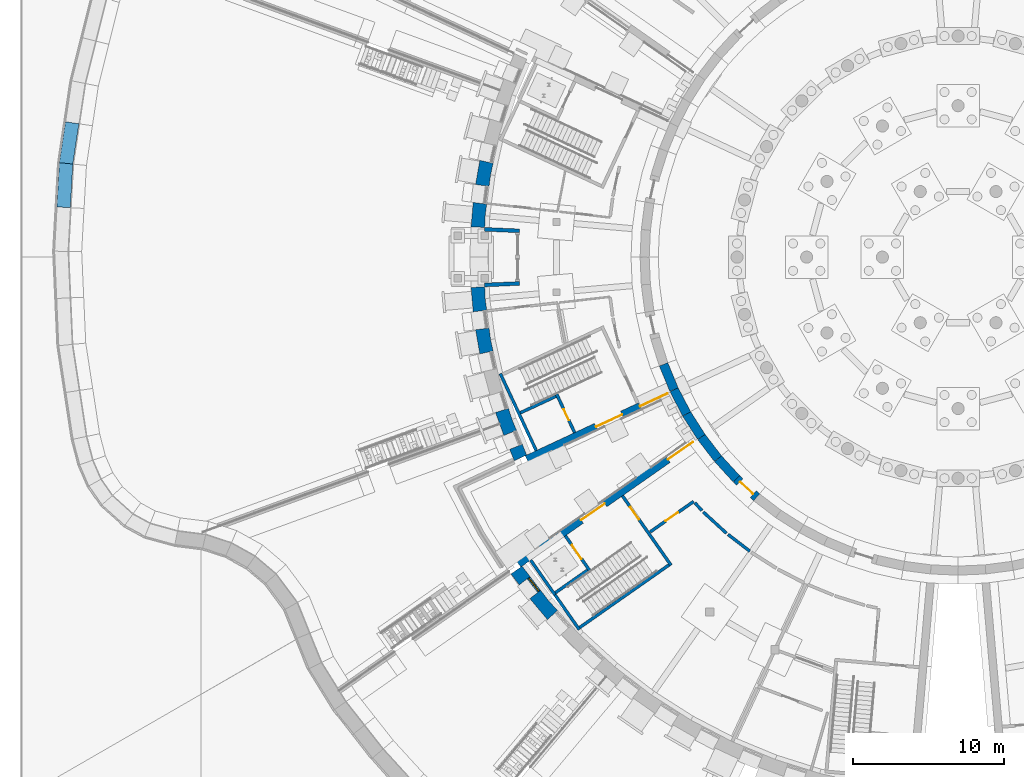
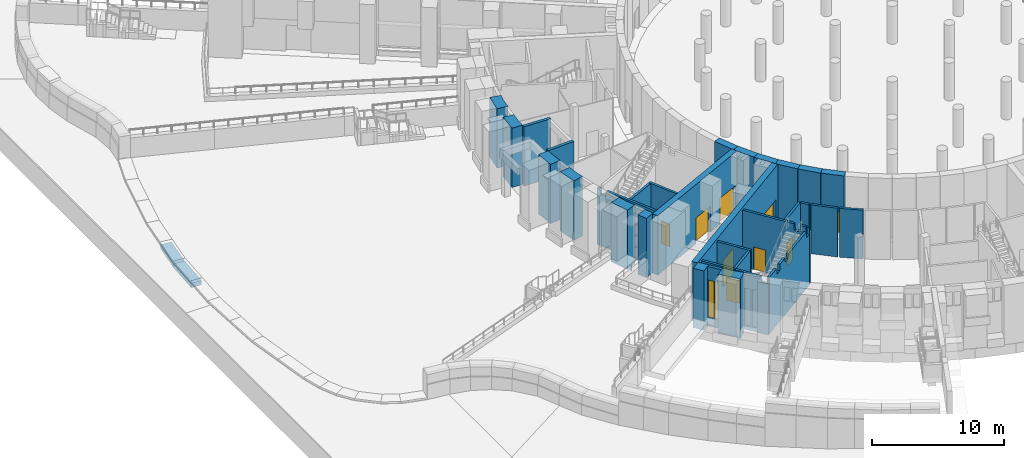
# One storey, part 38 of 65: 34 walls, 9 doors, 2 windows, 11 openings.
"""IFC4 building model written with IfcOpenShell, lengths in metres."""

from ifc_helpers import new_model, si_unit, direction, frame, frame_2d, origin, place, context, subcontext, project, spatial, polyline, rectangle, outline, extrude, material, layer, layer_set, type_object, element, fill, save


model = new_model("IFC4")

# Units and contexts
model_context = context("Model", 3, precision=1e-05, world=origin(), true_north=direction((0.0, 1.0)))
body_context = subcontext(model_context, "Body", "Model", "MODEL_VIEW")
ifc_project = project(units=[si_unit("LENGTHUNIT", "METRE"), si_unit("AREAUNIT", "SQUARE_METRE"), si_unit("VOLUMEUNIT", "CUBIC_METRE"), si_unit("PLANEANGLEUNIT", "RADIAN"), si_unit("MASSUNIT", "GRAM", prefix="KILO")], contexts=[model_context])

# Site, building, storey
site_placement = place(None, origin())
site = spatial("IfcSite", under=ifc_project, at=site_placement, CompositionType="ELEMENT")
building_placement = place(site_placement, origin())
building = spatial("IfcBuilding", under=site, at=building_placement, Name="Volute Hill Aquarium", CompositionType="ELEMENT")
storey_placement = place(building_placement, frame((0.0, 0.0, -5.5)))
storey = spatial("IfcBuildingStorey", under=building, at=storey_placement, Name="L00", CompositionType="ELEMENT", Elevation=-5.5)

# Wall
ifc_material_1 = material(Name="Concrete C30/37", Category="concrete")
ifc_layer_1 = layer(ifc_material_1, 0.199951171875)
ifc_layer_set_1 = layer_set([ifc_layer_1], Name="Core wall 200 REI 60")
wall_type_1 = type_object("IfcWallType", Name="Core wall 200 REI 60", PredefinedType="SHEAR", material=ifc_layer_set_1)
wall_1_placement = place(storey_placement, frame((-27.86279296875, -12.77197265625, 0.0), z_axis=(0.0, 0.0, 1.0), x_axis=(-0.422632457081, 0.906301167505, 0.0)))
element("IfcWall", 1, at=wall_1_placement, inside=storey, type_object=wall_type_1, Name="wc/S1-B/L00/out", PredefinedType="SHEAR", context=body_context, shape_type="SweptSolid", body=[
    extrude(outline(polyline([(0.0, 0.0), (5.599853515625, 0.0), (5.60009765625, 5.25), (5.333984375, 5.25), (5.283935546875, 4.780029296875), (4.783935546875, 4.780029296875), (4.73388671875, 5.25), (0.0, 5.25), (0.0, 0.0)])), frame((0.0, 0.10009765625, 0.0), z_axis=(0.0, -1.0, 0.0), x_axis=(1.0, 0.0, 0.0)), (0.0, 0.0, 1.0), 0.199951171875),
])

# Wall, opening, door
wall_2_placement = place(storey_placement, frame((-22.166259765625, -15.76513671875, 0.0), z_axis=(0.0, 0.0, 1.0), x_axis=(0.573599855614, -0.819135645446, 0.0)))
wall_2 = element("IfcWall", 2, at=wall_2_placement, inside=storey, type_object=wall_type_1, Name="wc/S2-A/L00/in", PredefinedType="SHEAR", context=body_context, shape_type="SweptSolid", body=[
    extrude(outline(polyline([(0.0, 0.0), (5.60009765625, 0.0), (5.60009765625, 5.25), (5.550048828125, 4.68994140625), (5.349853515625, 4.68994140625), (5.2998046875, 5.25), (4.87841796875, 5.25), (4.82861328125, 4.639892578125), (4.32861328125, 4.639892578125), (4.278564453125, 5.25), (0.0, 5.25), (0.0, 0.0)])), frame((0.0, 0.10009765625, 0.0), z_axis=(0.0, -1.0, 0.0), x_axis=(1.0, 0.0, 0.0)), (0.0, 0.0, 1.0), 0.199951171875),
])
opening_1_placement = place(wall_2_placement, frame((0.89990234375, 0.0, 0.0)))
opening_1 = element("IfcOpeningElement", 3, at=opening_1_placement, cuts=wall_2, Name="Opening D2.00.AS", PredefinedType="OPENING", context=body_context, shape_type="SweptSolid", body=[
    extrude(rectangle(XDim=1.0, YDim=2.10009765625, at=frame_2d((0.5, 1.050048828125))), frame((0.0, 0.10986328125, 0.0), z_axis=(0.0, -1.0, 0.0), x_axis=(1.0, 0.0, 0.0)), (0.0, 0.0, 1.0), 0.219970703125),
])
ifc_material_2 = material(Name="Timber, fire-rated", Category="wood")
door_type_1 = type_object("IfcDoorType", Name="Door 1000 x 2100 single EI1 30", OperationType="SINGLE_SWING_LEFT", PredefinedType="DOOR", material=ifc_material_2)
door_1_placement = place(opening_1_placement, origin())
door_1 = element("IfcDoor", 4, at=door_1_placement, inside=storey, type_object=door_type_1, Name="d/S2-A/L00/st", OperationType="SINGLE_SWING_RIGHT", OverallHeight=2.10009765625, OverallWidth=1.0, PredefinedType="DOOR", context=body_context, shape_type="SweptSolid", body=[
    extrude(rectangle(XDim=1.0, YDim=2.10009765625, at=frame_2d((0.5, 1.050048828125))), frame((0.0, 0.02490234375, 0.0), z_axis=(0.0, -1.0, 0.0), x_axis=(1.0, 0.0, 0.0)), (0.0, 0.0, 1.0), 0.050048828125),
])
fill(opening_1, door_1)

# Walls
wall_3_placement = place(storey_placement, frame((-19.093505859375, -20.327880859375, 0.0), z_axis=(0.0, 0.0, 1.0), x_axis=(-0.819161821637, -0.573562472597, 0.0)))
element("IfcWall", 5, at=wall_3_placement, inside=storey, type_object=wall_type_1, Name="wc/S2-A/L00/side", PredefinedType="SHEAR", context=body_context, shape_type="SweptSolid", body=[
    extrude(outline(polyline([(0.0, 0.0), (7.199951171875, 0.0), (7.199951171875, 5.25), (5.8935546875, 5.25), (5.843505859375, 4.68994140625), (5.343505859375, 4.68994140625), (5.293701171875, 5.25), (4.397216796875, 5.25), (4.34716796875, 4.840087890625), (3.84716796875, 4.840087890625), (3.797119140625, 5.25), (0.577392578125, 5.25), (0.52734375, 4.68994140625), (0.050048828125, 4.68994140625), (0.0, 5.25), (0.0, 0.0)])), frame((0.0, 0.10009765625, 0.0), z_axis=(0.0, -1.0, 0.0), x_axis=(1.0, 0.0, 0.0)), (0.0, 0.0, 1.0), 0.199951171875),
])
wall_4_placement = place(storey_placement, frame((-26.621826171875, -22.30322265625, 0.0), z_axis=(0.0, 0.0, 1.0), x_axis=(0.573591086599, -0.819141785879, 0.0)))
element("IfcWall", 6, at=wall_4_placement, inside=storey, type_object=wall_type_1, Name="wc/S2-A/L00/out-b", PredefinedType="SHEAR", context=body_context, shape_type="SweptSolid", body=[
    extrude(outline(polyline([(0.0, 0.0), (2.7998046875, 0.0), (2.800048828125, 5.25), (2.7646484375, 5.25), (2.714599609375, 4.739990234375), (2.214599609375, 4.739990234375), (2.164794921875, 5.25), (0.0, 5.25), (0.0, 0.0)])), frame((0.0, 0.10009765625, 0.0), z_axis=(0.0, -1.0, 0.0), x_axis=(1.0, 0.0, 0.0)), (0.0, 0.0, 1.0), 0.199951171875),
])
ifc_material_3 = material(Name="Concrete C35/45", Category="concrete")
ifc_layer_2 = layer(ifc_material_3, 0.60009765625)
ifc_layer_set_2 = layer_set([ifc_layer_2], Name="Drum wall C35/45 600")
wall_type_2 = type_object("IfcWallType", Name="Drum wall C35/45 600", PredefinedType="SHEAR", material=ifc_layer_set_2)
for number, where, z_axis, x_axis, name in (
    (7, (-19.45166015625, -7.079833984375, 0.0), (0.0, 0.0, 1.0), (0.382713954298, -0.923866889322, 0.0), "sw/DR/L00/40"),
    (8, (-18.760498046875, -8.748291015625, 0.0), (0.0, 0.0, 1.0), (0.461701764231, -0.887035219654, 0.0), "sw/DR/L00/41"),
    (9, (-17.9267578125, -10.35009765625, 0.0), (0.0, 0.0, 1.0), (0.537391510251, -0.843332890803, 0.0), "sw/DR/L00/42"),
):
    element("IfcWall", number, at=place(storey_placement, frame(where, z_axis=z_axis, x_axis=x_axis)), inside=storey, type_object=wall_type_2, Name=name, PredefinedType="SHEAR", context=body_context, shape_type="SweptSolid", body=[
        extrude(rectangle(XDim=1.805908203125, YDim=0.60009765625, at=frame_2d((0.90283203125, 0.0))), origin(), (0.0, 0.0, 1.0), 5.5),
    ])
wall_5_placement = place(storey_placement, frame((-16.956298828125, -11.873046875, 0.0), z_axis=(0.0, 0.0, 1.0), x_axis=(0.608704004289, -0.793397400526, 0.0)))
element("IfcWall", 10, at=wall_5_placement, inside=storey, type_object=wall_type_2, Name="sw/DR/L00/43", PredefinedType="SHEAR", context=body_context, shape_type="SweptSolid", body=[
    extrude(rectangle(XDim=1.8056640625, YDim=0.60009765625, at=frame_2d((0.90283203125, 0.0))), origin(), (0.0, 0.0, 1.0), 5.5),
])
wall_6_placement = place(storey_placement, frame((-15.857177734375, -13.3056640625, 0.0), z_axis=(0.0, 0.0, 1.0), x_axis=(0.675540954152, -0.737322466268, 0.0)))
element("IfcWall", 11, at=wall_6_placement, inside=storey, type_object=wall_type_2, Name="sw/DR/L00/44", PredefinedType="SHEAR", context=body_context, shape_type="SweptSolid", body=[
    extrude(rectangle(XDim=1.805908203125, YDim=0.60009765625, at=frame_2d((0.90283203125, 0.0))), origin(), (0.0, 0.0, 1.0), 5.5),
])

# Wall, opening, door
wall_7_placement = place(storey_placement, frame((-14.63720703125, -14.63720703125, 0.0), z_axis=(0.0, 0.0, 1.0), x_axis=(0.737322466268, -0.675540954152, 0.0)))
wall_7 = element("IfcWall", 12, at=wall_7_placement, inside=storey, type_object=wall_type_2, Name="sw/DR/L00/45", PredefinedType="SHEAR", context=body_context, shape_type="SweptSolid", body=[
    extrude(rectangle(XDim=1.805908203125, YDim=0.60009765625, at=frame_2d((0.90283203125, 0.0))), origin(), (0.0, 0.0, 1.0), 5.5),
])
opening_2_placement = place(wall_7_placement, frame((0.302978515625, 0.0, 0.0)))
opening_2 = element("IfcOpeningElement", 13, at=opening_2_placement, cuts=wall_7, Name="Opening D2.00.R1", PredefinedType="OPENING", context=body_context, shape_type="SweptSolid", body=[
    extrude(rectangle(XDim=1.199951171875, YDim=2.10009765625, at=frame_2d((0.60009765625, 1.050048828125))), frame((0.0, 0.31005859375, 0.0), z_axis=(0.0, -1.0, 0.0), x_axis=(1.0, 0.0, 0.0)), (0.0, 0.0, 1.0), 0.6201171875),
])
ifc_material_4 = material(Name="Timber, fire-rated", Category="wood")
door_type_2 = type_object("IfcDoorType", Name="Door 1200 x 2100 drum double EI1 30", OperationType="DOUBLE_DOOR_SINGLE_SWING", PredefinedType="DOOR", material=ifc_material_4)
door_2_placement = place(opening_2_placement, origin())
door_2 = element("IfcDoor", 14, at=door_2_placement, inside=storey, type_object=door_type_2, Name="d/S2/L00/dr1", OperationType="SINGLE_SWING_LEFT", OverallHeight=2.10009765625, OverallWidth=1.199951171875, PredefinedType="DOOR", context=body_context, shape_type="SweptSolid", body=[
    extrude(rectangle(XDim=1.199951171875, YDim=2.10009765625, at=frame_2d((0.60009765625, 1.050048828125))), frame((0.0, 0.02490234375, 0.0), z_axis=(0.0, -1.0, 0.0), x_axis=(1.0, 0.0, 0.0)), (0.0, 0.0, 1.0), 0.050048828125),
])
fill(opening_2, door_2)

# Wall, openings, doors
ifc_material_5 = material(Name="Concrete C35/45", Category="concrete")
ifc_layer_3 = layer(ifc_material_5, 0.5)
ifc_layer_set_3 = layer_set([ifc_layer_3], Name="End wall 500 C35/45")
wall_type_3 = type_object("IfcWallType", Name="End wall 500 C35/45", PredefinedType="SHEAR", material=ifc_layer_set_3)
wall_8_placement = place(storey_placement, frame((-18.920654296875, -8.8779296875, 0.0), z_axis=(0.0, 0.0, 1.0), x_axis=(-0.90630311696, -0.422628276607, 0.0)))
wall_8 = element("IfcWall", 15, at=wall_8_placement, inside=storey, type_object=wall_type_3, Name="sw/S1/L00/endB", PredefinedType="SHEAR", context=body_context, shape_type="SweptSolid", body=[
    extrude(rectangle(XDim=10.550048828125, YDim=0.5, at=frame_2d((5.27490234375, 0.0))), origin(), (0.0, 0.0, 1.0), 5.5),
])
opening_3_placement = place(wall_8_placement, frame((3.60009765625, 0.0, 0.0)))
opening_3 = element("IfcOpeningElement", 16, at=opening_3_placement, cuts=wall_8, Name="Opening D1.00.BX", PredefinedType="OPENING", context=body_context, shape_type="SweptSolid", body=[
    extrude(rectangle(XDim=1.89990234375, YDim=2.39990234375, at=frame_2d((0.949951171875, 1.199951171875))), frame((0.0, 0.260009765625, 0.0), z_axis=(0.0, -1.0, 0.0), x_axis=(1.0, 0.0, 0.0)), (0.0, 0.0, 1.0), 0.52001953125),
])
opening_4_placement = place(wall_8_placement, frame((0.300048828125, 0.0, 0.0)))
opening_4 = element("IfcOpeningElement", 17, at=opening_4_placement, cuts=wall_8, Name="Opening DX.S1.B", PredefinedType="OPENING", context=body_context, shape_type="SweptSolid", body=[
    extrude(rectangle(XDim=2.0, YDim=2.39990234375, at=frame_2d((1.0, 1.199951171875))), frame((0.0, 0.260009765625, 0.0), z_axis=(0.0, -1.0, 0.0), x_axis=(1.0, 0.0, 0.0)), (0.0, 0.0, 1.0), 0.52001953125),
])
ifc_material_6 = material(Name="Steel, fire-rated", Category="steel")
door_type_3 = type_object("IfcDoorType", Name="Door 1900 x 2400 stair exit double EI1 30", OperationType="DOUBLE_DOOR_SINGLE_SWING", PredefinedType="DOOR", material=ifc_material_6)
door_3_placement = place(opening_3_placement, origin())
door_3 = element("IfcDoor", 18, at=door_3_placement, inside=storey, type_object=door_type_3, Name="d/S1-B/L00/ex", OperationType="SINGLE_SWING_LEFT", OverallHeight=2.39990234375, OverallWidth=1.89990234375, PredefinedType="DOOR", context=body_context, shape_type="SweptSolid", body=[
    extrude(rectangle(XDim=1.89990234375, YDim=2.39990234375, at=frame_2d((0.949951171875, 1.199951171875))), frame((0.0, 0.02490234375, 0.0), z_axis=(0.0, -1.0, 0.0), x_axis=(1.0, 0.0, 0.0)), (0.0, 0.0, 1.0), 0.050048828125),
])
fill(opening_3, door_3)
ifc_material_7 = material(Name="Steel, fire-rated", Category="steel")
door_type_4 = type_object("IfcDoorType", Name="Door 2000 x 2400 corridor exit double EI1 30", OperationType="DOUBLE_DOOR_SINGLE_SWING", PredefinedType="DOOR", material=ifc_material_7)
door_4_placement = place(opening_4_placement, origin())
door_4 = element("IfcDoor", 19, at=door_4_placement, inside=storey, type_object=door_type_4, Name="d/S1/L00/xcB", OperationType="SINGLE_SWING_LEFT", OverallHeight=2.39990234375, OverallWidth=2.0, PredefinedType="DOOR", context=body_context, shape_type="SweptSolid", body=[
    extrude(rectangle(XDim=2.0, YDim=2.39990234375, at=frame_2d((1.0, 1.199951171875))), frame((0.0, 0.02490234375, 0.0), z_axis=(0.0, -1.0, 0.0), x_axis=(1.0, 0.0, 0.0)), (0.0, 0.0, 1.0), 0.050048828125),
])
fill(opening_4, door_4)

wall_9_placement = place(storey_placement, frame((-17.14892578125, -11.94677734375, 0.0), z_axis=(0.0, 0.0, 1.0), x_axis=(-0.819150437903, -0.573578730501, 0.0)))
wall_9 = element("IfcWall", 20, at=wall_9_placement, inside=storey, type_object=wall_type_3, Name="sw/S2/L00/endA", PredefinedType="SHEAR", context=body_context, shape_type="SweptSolid", body=[
    extrude(rectangle(XDim=14.5, YDim=0.5, at=frame_2d((7.25, 0.0))), origin(), (0.0, 0.0, 1.0), 5.5),
])
opening_5_placement = place(wall_9_placement, frame((7.550048828125, 0.0, 0.0)))
opening_5 = element("IfcOpeningElement", 21, at=opening_5_placement, cuts=wall_9, Name="Opening D2.00.AX", PredefinedType="OPENING", context=body_context, shape_type="SweptSolid", body=[
    extrude(rectangle(XDim=1.89990234375, YDim=2.39990234375, at=frame_2d((0.949951171875, 1.199951171875))), frame((0.0, 0.260009765625, 0.0), z_axis=(0.0, -1.0, 0.0), x_axis=(1.0, 0.0, 0.0)), (0.0, 0.0, 1.0), 0.52001953125),
])
opening_6_placement = place(wall_9_placement, frame((0.449951171875, 0.0, 0.0)))
opening_6 = element("IfcOpeningElement", 22, at=opening_6_placement, cuts=wall_9, Name="Opening DX.S2.A", PredefinedType="OPENING", context=body_context, shape_type="SweptSolid", body=[
    extrude(rectangle(XDim=2.0, YDim=2.39990234375, at=frame_2d((1.0, 1.199951171875))), frame((0.0, 0.260009765625, 0.0), z_axis=(0.0, -1.0, 0.0), x_axis=(1.0, 0.0, 0.0)), (0.0, 0.0, 1.0), 0.52001953125),
])
door_5_placement = place(opening_5_placement, origin())
door_5 = element("IfcDoor", 23, at=door_5_placement, inside=storey, type_object=door_type_3, Name="d/S2-A/L00/ex", OperationType="SINGLE_SWING_LEFT", OverallHeight=2.39990234375, OverallWidth=1.89990234375, PredefinedType="DOOR", context=body_context, shape_type="SweptSolid", body=[
    extrude(rectangle(XDim=1.89990234375, YDim=2.39990234375, at=frame_2d((0.949951171875, 1.199951171875))), frame((0.0, 0.02490234375, 0.0), z_axis=(0.0, -1.0, 0.0), x_axis=(1.0, 0.0, 0.0)), (0.0, 0.0, 1.0), 0.050048828125),
])
fill(opening_5, door_5)
door_6_placement = place(opening_6_placement, origin())
door_6 = element("IfcDoor", 24, at=door_6_placement, inside=storey, type_object=door_type_4, Name="d/S2/L00/xcA", OperationType="SINGLE_SWING_LEFT", OverallHeight=2.39990234375, OverallWidth=2.0, PredefinedType="DOOR", context=body_context, shape_type="SweptSolid", body=[
    extrude(rectangle(XDim=2.0, YDim=2.39990234375, at=frame_2d((1.0, 1.199951171875))), frame((0.0, 0.02490234375, 0.0), z_axis=(0.0, -1.0, 0.0), x_axis=(1.0, 0.0, 0.0)), (0.0, 0.0, 1.0), 0.050048828125),
])
fill(opening_6, door_6)

# Wall, opening, door
ifc_material_8 = material(Name="Masonry blockwork", Category="masonry")
ifc_layer_4 = layer(ifc_material_8, 0.199951171875)
ifc_layer_set_4 = layer_set([ifc_layer_4], Name="Fire partition 200 EI 60")
wall_type_4 = type_object("IfcWallType", Name="Fire partition 200 EI 60", PredefinedType="PARTITIONING", material=ifc_layer_set_4)
wall_10_placement = place(storey_placement, frame((-17.464599609375, -16.135498046875, 0.0), z_axis=(0.0, 0.0, 1.0), x_axis=(-0.819192694316, -0.573518377717, 0.0)))
wall_10 = element("IfcWall", 25, at=wall_10_placement, inside=storey, type_object=wall_type_4, Name="pw/S2/L00/006", PredefinedType="PARTITIONING", context=body_context, shape_type="SweptSolid", body=[
    extrude(rectangle(XDim=3.509033203125, YDim=0.199951171875, at=frame_2d((1.75439453125, 0.0))), origin(), (0.0, 0.0, 1.0), 4.52001953125),
])
opening_7_placement = place(wall_10_placement, frame((1.25439453125, 0.0, 0.0)))
opening_7 = element("IfcOpeningElement", 26, at=opening_7_placement, cuts=wall_10, Name="Opening D2.00.01", PredefinedType="OPENING", context=body_context, shape_type="SweptSolid", body=[
    extrude(rectangle(XDim=1.0, YDim=2.10009765625, at=frame_2d((0.5, 1.050048828125))), frame((0.0, 0.10986328125, 0.0), z_axis=(0.0, -1.0, 0.0), x_axis=(1.0, 0.0, 0.0)), (0.0, 0.0, 1.0), 0.219970703125),
])
door_7_placement = place(opening_7_placement, origin())
door_7 = element("IfcDoor", 27, at=door_7_placement, inside=storey, type_object=door_type_1, Name="d/S2/L00/01", OperationType="SINGLE_SWING_LEFT", OverallHeight=2.10009765625, OverallWidth=1.0, PredefinedType="DOOR", context=body_context, shape_type="SweptSolid", body=[
    extrude(rectangle(XDim=1.0, YDim=2.10009765625, at=frame_2d((0.5, 1.050048828125))), frame((0.0, 0.02490234375, 0.0), z_axis=(0.0, -1.0, 0.0), x_axis=(1.0, 0.0, 0.0)), (0.0, 0.0, 1.0), 0.050048828125),
])
fill(opening_7, door_7)

# Walls
wall_11_placement = place(storey_placement, frame((-15.29833984375, -18.23193359375, 0.0), z_axis=(0.0, 0.0, 1.0), x_axis=(-0.737241988031, 0.675628782013, 0.0)))
element("IfcWall", 28, at=wall_11_placement, inside=storey, type_object=wall_type_4, Name="pw/S2/L00/009", PredefinedType="PARTITIONING", context=body_context, shape_type="SweptSolid", body=[
    extrude(rectangle(XDim=2.076416015625, YDim=0.199951171875, at=frame_2d((1.0380859375, 0.0))), origin(), (0.0, 0.0, 1.0), 4.52001953125),
])
wall_12_placement = place(storey_placement, frame((-13.754150390625, -19.416748046875, 0.0), z_axis=(0.0, 0.0, 1.0), x_axis=(-0.793387821047, 0.608716490178, 0.0)))
element("IfcWall", 29, at=wall_12_placement, inside=storey, type_object=wall_type_4, Name="pw/S2/L00/014", PredefinedType="PARTITIONING", context=body_context, shape_type="SweptSolid", body=[
    extrude(rectangle(XDim=1.81640625, YDim=0.199951171875, at=frame_2d((0.908203125, 0.0))), origin(), (0.0, 0.0, 1.0), 4.52001953125),
])
wall_13_placement = place(storey_placement, frame((-16.9169921875, -16.7333984375, 0.0), z_axis=(0.0, 0.0, 1.0), x_axis=(-0.675416123111, 0.737436818068, 0.0)))
element("IfcWall", 30, at=wall_13_placement, inside=storey, type_object=wall_type_4, Name="pw/S2/L00/016", PredefinedType="PARTITIONING", context=body_context, shape_type="SweptSolid", body=[
    extrude(rectangle(XDim=0.680908203125, YDim=0.199951171875, at=frame_2d((0.34033203125, 0.0))), origin(), (0.0, 0.0, 1.0), 4.52001953125),
])

# Wall, openings, windows
ifc_material_9 = material(Name="Concrete C30/37", Category="concrete")
ifc_layer_5 = layer(ifc_material_9, 0.25)
ifc_layer_set_5 = layer_set([ifc_layer_5], Name="Niche back wall full height 250")
wall_type_5 = type_object("IfcWallType", Name="Niche back wall full height 250", PredefinedType="NOTDEFINED", material=ifc_layer_set_5)
wall_14_placement = place(storey_placement, frame((-27.66943359375, -22.07666015625, 0.0), z_axis=(0.0, 0.0, 1.0), x_axis=(-0.608831313341, 0.793299711267, 0.0)))
wall_14 = element("IfcWall", 31, at=wall_14_placement, inside=storey, type_object=wall_type_5, Name="Niche back wall OWN S2 L00 1", PredefinedType="NOTDEFINED", context=body_context, shape_type="SweptSolid", body=[
    extrude(rectangle(XDim=1.140869140625, YDim=0.25, at=frame_2d((0.5703125, 0.0))), origin(), (0.0, 0.0, 1.0), 5.5),
])
opening_8_placement = place(wall_14_placement, frame((0.582763671875, 0.0, 0.800048828125)))
opening_8 = element("IfcOpeningElement", 32, at=opening_8_placement, cuts=wall_14, Name="Opening W3", PredefinedType="OPENING", context=body_context, shape_type="SweptSolid", body=[
    extrude(rectangle(XDim=0.5, YDim=3.449951171875, at=frame_2d((0.25, 1.72509765625))), frame((0.0, 0.135009765625, 0.0), z_axis=(0.0, -1.0, 0.0), x_axis=(1.0, 0.0, 0.0)), (0.0, 0.0, 1.0), 0.27001953125),
])
opening_9_placement = place(wall_14_placement, frame((0.05810546875, 0.0, 0.800048828125)))
opening_9 = element("IfcOpeningElement", 33, at=opening_9_placement, cuts=wall_14, Name="Opening W3", PredefinedType="OPENING", context=body_context, shape_type="SweptSolid", body=[
    extrude(rectangle(XDim=0.5, YDim=3.449951171875, at=frame_2d((0.25, 1.72509765625))), frame((0.0, 0.135009765625, 0.0), z_axis=(0.0, -1.0, 0.0), x_axis=(1.0, 0.0, 0.0)), (0.0, 0.0, 1.0), 0.27001953125),
])
ifc_material_10 = material(Name="Aluminium and glass", Category="aluminium")
window_type = type_object("IfcWindowType", Name="Slit window 500x3450", PartitioningType="SINGLE_PANEL", PredefinedType="WINDOW", material=ifc_material_10)
window_1_placement = place(opening_8_placement, origin())
window_1 = element("IfcWindow", 34, at=window_1_placement, inside=storey, type_object=window_type, Name="Slit window S2 L00 1.1.1", OverallHeight=3.449951171875, OverallWidth=0.5, PartitioningType="SINGLE_PANEL", PredefinedType="WINDOW", context=body_context, shape_type="SweptSolid", body=[
    extrude(rectangle(XDim=0.5, YDim=3.449951171875, at=frame_2d((0.25, 1.72509765625))), frame((0.0, 0.030029296875, 0.0), z_axis=(0.0, -1.0, 0.0), x_axis=(1.0, 0.0, 0.0)), (0.0, 0.0, 1.0), 0.06005859375),
])
fill(opening_8, window_1)
window_2_placement = place(opening_9_placement, origin())
window_2 = element("IfcWindow", 35, at=window_2_placement, inside=storey, type_object=window_type, Name="Slit window S2 L00 1.1.2", OverallHeight=3.449951171875, OverallWidth=0.5, PartitioningType="SINGLE_PANEL", PredefinedType="WINDOW", context=body_context, shape_type="SweptSolid", body=[
    extrude(rectangle(XDim=0.5, YDim=3.449951171875, at=frame_2d((0.25, 1.72509765625))), frame((0.0, 0.030029296875, 0.0), z_axis=(0.0, -1.0, 0.0), x_axis=(1.0, 0.0, 0.0)), (0.0, 0.0, 1.0), 0.06005859375),
])
fill(opening_9, window_2)

# Walls
ifc_material_11 = material(Name="Precast concrete C40/50", Category="concrete")
ifc_layer_6 = layer(ifc_material_11, 0.89990234375)
ifc_layer_set_6 = layer_set([ifc_layer_6], Name="Outer pier precast concrete C40/50 900")
wall_type_6 = type_object("IfcWallType", Name="Outer pier precast concrete C40/50 900", PredefinedType="NOTDEFINED", material=ifc_layer_set_6)
wall_15_placement = place(storey_placement, origin())
element("IfcWall", 36, at=wall_15_placement, inside=storey, type_object=wall_type_6, Name="Outer pier OWP S1 L00 4", PredefinedType="NOTDEFINED", context=body_context, shape_type="SweptSolid", body=[
    extrude(outline(polyline([(-30.70654296875, 6.196533203125), (-31.585205078125, 6.39111328125), (-31.8662109375, 4.796875), (-30.973876953125, 4.679443359375), (-30.873291015625, 5.44384765625), (-30.70654296875, 6.196533203125)])), origin(), (0.0, 0.0, 1.0), 5.5),
])
wall_16_placement = place(storey_placement, origin())
element("IfcWall", 37, at=wall_16_placement, inside=storey, type_object=wall_type_6, Name="Outer pier OWP S1 L00 5", PredefinedType="NOTDEFINED", context=body_context, shape_type="SweptSolid", body=[
    extrude(outline(polyline([(-31.129638671875, 3.49658203125), (-32.02197265625, 3.614013671875), (-32.1630859375, 2.001220703125), (-31.263916015625, 1.962158203125), (-31.230224609375, 2.732421875), (-31.129638671875, 3.49658203125)])), origin(), (0.0, 0.0, 1.0), 5.5),
])
wall_17_placement = place(storey_placement, origin())
element("IfcWall", 38, at=wall_17_placement, inside=storey, type_object=wall_type_6, Name="Outer pier OWP S1 L00 7", PredefinedType="NOTDEFINED", context=body_context, shape_type="SweptSolid", body=[
    extrude(outline(polyline([(-31.263916015625, -1.962158203125), (-32.1630859375, -2.00146484375), (-32.02197265625, -3.6142578125), (-31.129638671875, -3.496826171875), (-31.230224609375, -2.732421875), (-31.263916015625, -1.962158203125)])), origin(), (0.0, 0.0, 1.0), 5.5),
])
wall_18_placement = place(storey_placement, origin())
element("IfcWall", 39, at=wall_18_placement, inside=storey, type_object=wall_type_6, Name="Outer pier OWP S1 L00 8", PredefinedType="NOTDEFINED", context=body_context, shape_type="SweptSolid", body=[
    extrude(outline(polyline([(-30.973876953125, -4.679443359375), (-31.8662109375, -4.797119140625), (-31.5849609375, -6.391357421875), (-30.706298828125, -6.196533203125), (-30.873291015625, -5.44384765625), (-30.973876953125, -4.679443359375)])), origin(), (0.0, 0.0, 1.0), 5.5),
])
wall_19_placement = place(storey_placement, origin())
element("IfcWall", 40, at=wall_19_placement, inside=storey, type_object=wall_type_6, Name="Outer pier OWP S1 L00 10", PredefinedType="NOTDEFINED", context=body_context, shape_type="SweptSolid", body=[
    extrude(outline(polyline([(-29.690673828125, -9.98681640625), (-30.549072265625, -10.257568359375), (-29.995361328125, -11.77880859375), (-29.163818359375, -11.4345703125), (-29.458984375, -10.72216796875), (-29.690673828125, -9.98681640625)])), origin(), (0.0, 0.0, 1.0), 5.5),
])
wall_20_placement = place(storey_placement, origin())
element("IfcWall", 41, at=wall_20_placement, inside=storey, type_object=wall_type_6, Name="Outer pier OWP S1 L00 11", PredefinedType="NOTDEFINED", context=body_context, shape_type="SweptSolid", body=[
    extrude(outline(polyline([(-28.783935546875, -12.3515625), (-29.615478515625, -12.696044921875), (-29.305419921875, -13.444580078125), (-28.489013671875, -13.06396484375), (-28.783935546875, -12.3515625)])), origin(), (0.0, 0.0, 1.0), 5.5),
])
wall_21_placement = place(storey_placement, origin())
element("IfcWall", 42, at=wall_21_placement, inside=storey, type_object=wall_type_6, Name="Outer pier OWP S2 L00 1", PredefinedType="NOTDEFINED", context=body_context, shape_type="SweptSolid", body=[
    extrude(outline(polyline([(-28.7939453125, -20.40576171875), (-29.53173828125, -20.922607421875), (-28.978759765625, -21.643310546875), (-28.2646484375, -21.095458984375), (-28.7939453125, -20.40576171875)])), origin(), (0.0, 0.0, 1.0), 5.5),
])
wall_22_placement = place(storey_placement, origin())
element("IfcWall", 43, at=wall_22_placement, inside=storey, type_object=wall_type_6, Name="Outer pier OWP S2 L00 2", PredefinedType="NOTDEFINED", context=body_context, shape_type="SweptSolid", body=[
    extrude(outline(polyline([(-27.570068359375, -22.00048828125), (-28.2841796875, -22.548583984375), (-27.117431640625, -23.93896484375), (-26.453857421875, -23.3310546875), (-27.041015625, -22.690185546875), (-27.570068359375, -22.00048828125)])), origin(), (0.0, 0.0, 1.0), 5.5),
])
ifc_material_12 = material(Name="Concrete C30/37", Category="concrete")
ifc_layer_7 = layer(ifc_material_12, 0.25)
ifc_layer_set_7 = layer_set([ifc_layer_7], Name="Portal cheek wall 250")
wall_type_7 = type_object("IfcWallType", Name="Portal cheek wall 250", PredefinedType="NOTDEFINED", material=ifc_layer_set_7)
wall_23_placement = place(storey_placement, origin())
element("IfcWall", 44, at=wall_23_placement, inside=storey, type_object=wall_type_7, Name="Portal cheek wall OWN S1 L00 A", PredefinedType="NOTDEFINED", context=body_context, shape_type="SweptSolid", body=[
    extrude(outline(polyline([(-31.263916015625, 1.962158203125), (-31.27490234375, 1.712158203125), (-28.97607421875, 1.61181640625), (-28.965087890625, 1.861572265625), (-31.263916015625, 1.962158203125)])), origin(), (0.0, 0.0, 1.0), 5.5),
])
wall_24_placement = place(storey_placement, origin())
element("IfcWall", 45, at=wall_24_placement, inside=storey, type_object=wall_type_7, Name="Portal cheek wall OWN S1 L00 B", PredefinedType="NOTDEFINED", context=body_context, shape_type="SweptSolid", body=[
    extrude(outline(polyline([(-31.263916015625, -1.962158203125), (-28.965087890625, -1.86181640625), (-28.97607421875, -1.612060546875), (-31.27490234375, -1.71240234375), (-31.263916015625, -1.962158203125)])), origin(), (0.0, 0.0, 1.0), 5.5),
])

# Wall, opening, door
ifc_material_13 = material(Name="Masonry blockwork", Category="masonry")
ifc_layer_8 = layer(ifc_material_13, 0.199951171875)
ifc_layer_set_8 = layer_set([ifc_layer_8], Name="Riser wall 200 EI 60")
wall_type_8 = type_object("IfcWallType", Name="Riser wall 200 EI 60", PredefinedType="SOLIDWALL", material=ifc_layer_set_8)
wall_25_placement = place(storey_placement, frame((-25.3251953125, -11.588623046875, 0.0), z_axis=(0.0, 0.0, 1.0), x_axis=(-0.422632457081, 0.906301167505, 0.0)))
wall_25 = element("IfcWall", 46, at=wall_25_placement, inside=storey, type_object=wall_type_8, Name="wc/S1-B/L00/front", PredefinedType="SOLIDWALL", context=body_context, shape_type="SweptSolid", body=[
    extrude(rectangle(XDim=2.800048828125, YDim=0.199951171875, at=frame_2d((1.39990234375, 0.0))), origin(), (0.0, 0.0, 1.0), 5.25),
])
opening_10_placement = place(wall_25_placement, frame((0.89990234375, 0.0, 0.0)))
opening_10 = element("IfcOpeningElement", 47, at=opening_10_placement, cuts=wall_25, Name="Opening D1.00.BR", PredefinedType="OPENING", context=body_context, shape_type="SweptSolid", body=[
    extrude(rectangle(XDim=0.800048828125, YDim=2.10009765625, at=frame_2d((0.39990234375, 1.050048828125))), frame((0.0, 0.10986328125, 0.0), z_axis=(0.0, -1.0, 0.0), x_axis=(1.0, 0.0, 0.0)), (0.0, 0.0, 1.0), 0.219970703125),
])
ifc_material_14 = material(Name="Steel, fire-rated", Category="steel")
door_type_5 = type_object("IfcDoorType", Name="Door 800 x 2100 riser EI1 30", OperationType="SINGLE_SWING_LEFT", PredefinedType="DOOR", material=ifc_material_14)
door_8_placement = place(opening_10_placement, origin())
door_8 = element("IfcDoor", 48, at=door_8_placement, inside=storey, type_object=door_type_5, Name="d/S1-B/L00/rs", OperationType="SINGLE_SWING_LEFT", OverallHeight=2.10009765625, OverallWidth=0.800048828125, PredefinedType="DOOR", context=body_context, shape_type="SweptSolid", body=[
    extrude(rectangle(XDim=0.800048828125, YDim=2.10009765625, at=frame_2d((0.39990234375, 1.050048828125))), frame((0.0, 0.02490234375, 0.0), z_axis=(0.0, -1.0, 0.0), x_axis=(1.0, 0.0, 0.0)), (0.0, 0.0, 1.0), 0.050048828125),
])
fill(opening_10, door_8)

# Walls
wall_26_placement = place(storey_placement, frame((-26.556884765625, -9.183837890625, 0.0), z_axis=(0.0, 0.0, 1.0), x_axis=(-0.906300648467, -0.422633570115, 0.0)))
element("IfcWall", 49, at=wall_26_placement, inside=storey, type_object=wall_type_8, Name="wc/S1-B/L00/shaft-side", PredefinedType="SOLIDWALL", context=body_context, shape_type="SweptSolid", body=[
    extrude(rectangle(XDim=2.60009765625, YDim=0.199951171875, at=frame_2d((1.300048828125, 0.0))), origin(), (0.0, 0.0, 1.0), 5.25),
])
ifc_material_15 = material(Name="Concrete C30/37", Category="concrete")
ifc_layer_9 = layer(ifc_material_15, 0.199951171875)
ifc_layer_set_9 = layer_set([ifc_layer_9], Name="Shaft wall 200 EI 60")
wall_type_9 = type_object("IfcWallType", Name="Shaft wall 200 EI 60", PredefinedType="SOLIDWALL", material=ifc_layer_set_9)
wall_27_placement = place(storey_placement, frame((-28.227783203125, -20.009521484375, 0.0), z_axis=(0.0, 0.0, 1.0), x_axis=(0.573550118428, -0.819170471667, 0.0)))
element("IfcWall", 50, at=wall_27_placement, inside=storey, type_object=wall_type_9, Name="wc/S2-A/L00/out-a", PredefinedType="SOLIDWALL", context=body_context, shape_type="SweptSolid", body=[
    extrude(rectangle(XDim=2.800048828125, YDim=0.199951171875, at=frame_2d((1.39990234375, 0.0))), origin(), (0.0, 0.0, 1.0), 5.25),
])

# Wall, opening, door
wall_28_placement = place(storey_placement, frame((-25.934326171875, -18.403564453125, 0.0), z_axis=(0.0, 0.0, 1.0), x_axis=(0.573550118428, -0.819170471667, 0.0)))
wall_28 = element("IfcWall", 51, at=wall_28_placement, inside=storey, type_object=wall_type_9, Name="wc/S2-A/L00/front", PredefinedType="SOLIDWALL", context=body_context, shape_type="SweptSolid", body=[
    extrude(rectangle(XDim=2.800048828125, YDim=0.199951171875, at=frame_2d((1.39990234375, 0.0))), origin(), (0.0, 0.0, 1.0), 5.25),
])
opening_11_placement = place(wall_28_placement, frame((0.75, 0.0, 0.0)))
opening_11 = element("IfcOpeningElement", 52, at=opening_11_placement, cuts=wall_28, Name="Opening LD2.00.A", PredefinedType="OPENING", context=body_context, shape_type="SweptSolid", body=[
    extrude(rectangle(XDim=1.10009765625, YDim=2.10009765625, at=frame_2d((0.550048828125, 1.050048828125))), frame((0.0, 0.10986328125, 0.0), z_axis=(0.0, -1.0, 0.0), x_axis=(1.0, 0.0, 0.0)), (0.0, 0.0, 1.0), 0.219970703125),
])
ifc_material_16 = material(Name="Stainless steel", Category="steel")
door_type_6 = type_object("IfcDoorType", Name="Lift landing door 1100 x 2100", OperationType="SLIDING_TO_LEFT", PredefinedType="DOOR", material=ifc_material_16)
door_9_placement = place(opening_11_placement, origin())
door_9 = element("IfcDoor", 53, at=door_9_placement, inside=storey, type_object=door_type_6, Name="d/S2-A/L00/ld", OperationType="SLIDING_TO_LEFT", OverallHeight=2.10009765625, OverallWidth=1.10009765625, PredefinedType="DOOR", context=body_context, shape_type="SweptSolid", body=[
    extrude(rectangle(XDim=1.10009765625, YDim=2.10009765625, at=frame_2d((0.550048828125, 1.050048828125))), frame((0.0, 0.02490234375, 0.0), z_axis=(0.0, -1.0, 0.0), x_axis=(1.0, 0.0, 0.0)), (0.0, 0.0, 1.0), 0.050048828125),
])
fill(opening_11, door_9)

# Walls
wall_29_placement = place(storey_placement, frame((-24.467529296875, -20.672607421875, 0.0), z_axis=(0.0, 0.0, 1.0), x_axis=(-0.819178980414, -0.573537965655, 0.0)))
element("IfcWall", 54, at=wall_29_placement, inside=storey, type_object=wall_type_9, Name="wc/S2-A/L00/shaft-side", PredefinedType="SOLIDWALL", context=body_context, shape_type="SweptSolid", body=[
    extrude(rectangle(XDim=2.60009765625, YDim=0.199951171875, at=frame_2d((1.300048828125, 0.0))), origin(), (0.0, 0.0, 1.0), 5.25),
])
ifc_material_17 = material(Name="Concrete C30/37", Category="concrete")
ifc_layer_10 = layer(ifc_material_17, 0.89990234375)
ifc_layer_set_10 = layer_set([ifc_layer_10], Name="Site edge retaining wall C30/37 900")
wall_type_10 = type_object("IfcWallType", Name="Site edge retaining wall C30/37 900", PredefinedType="SOLIDWALL", material=ifc_layer_set_10)
wall_30_placement = place(storey_placement, frame((0.0, 0.0, -0.5)))
element("IfcWall", 55, at=wall_30_placement, inside=storey, type_object=wall_type_10, Name="rw/E95LC/L00/1", PredefinedType="SOLIDWALL", context=body_context, shape_type="SweptSolid", body=[
    extrude(outline(polyline([(-58.948974609375, 8.941650390625), (-59.354736328125, 6.239013671875), (-58.45849609375, 6.14697265625), (-58.058837890625, 8.80810546875), (-58.948974609375, 8.941650390625)])), origin(), (0.0, 0.0, 1.0), 0.39990234375),
])
wall_31_placement = place(storey_placement, frame((0.0, 0.0, -0.5)))
element("IfcWall", 56, at=wall_31_placement, inside=storey, type_object=wall_type_10, Name="rw/E96LC/L00/0", PredefinedType="SOLIDWALL", context=body_context, shape_type="SweptSolid", body=[
    extrude(outline(polyline([(-59.354736328125, 6.239013671875), (-59.517578125, 3.31591796875), (-58.618896484375, 3.265869140625), (-58.45849609375, 6.14697265625), (-58.45849609375, 6.14697265625), (-59.354736328125, 6.239013671875), (-59.354736328125, 6.239013671875)])), origin(), (0.0, 0.0, 1.0), 0.39990234375),
])

save(model, "model.ifc")
